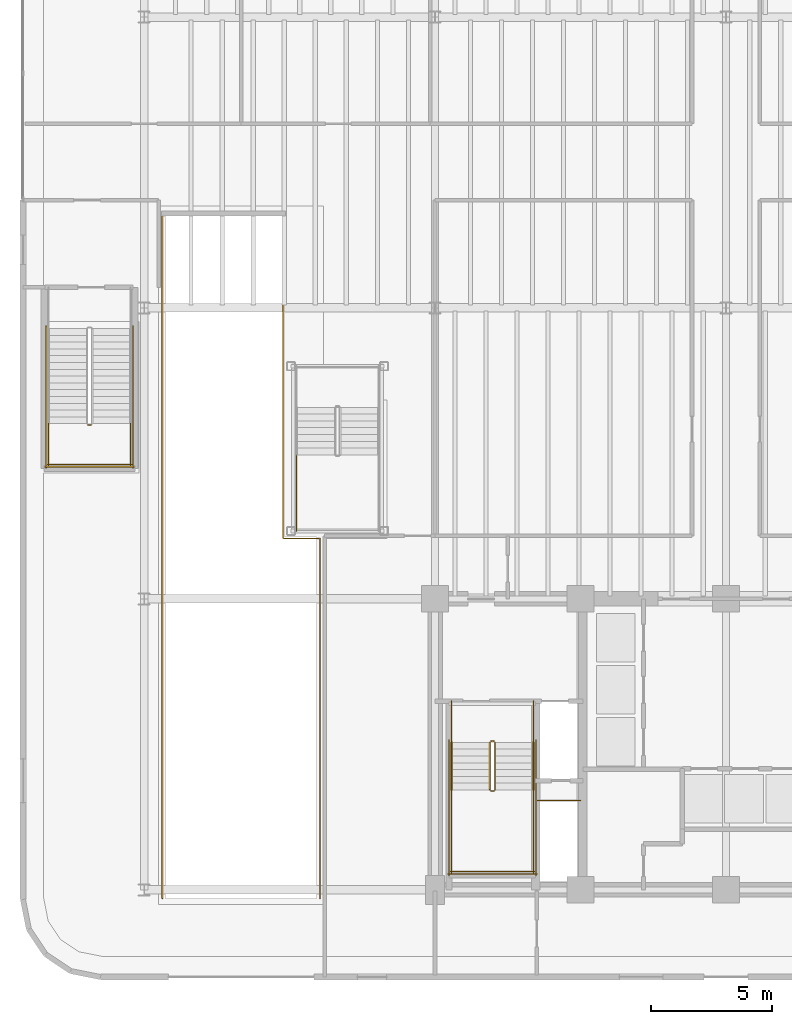
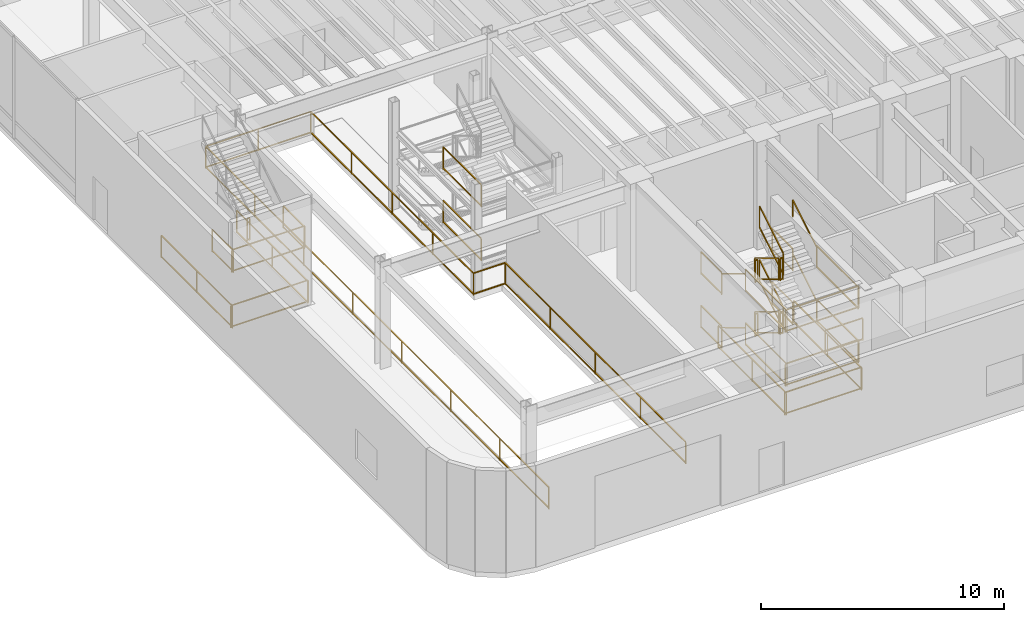
# One storey, part 13 of 17: 36 railings.
"""IFC4 building model written with IfcOpenShell, lengths in metres."""

import ifcopenshell
import ifcopenshell.guid

model = None  # the IFC model being written
_history = None  # IfcOwnerHistory: only IFC2X3 demands one
_inside = {}  # id of a spatial element -> (the spatial element, [elements in it])
_under = {}  # id of a project, library or spatial element -> (it, [spatial elements below it])
_declared = {}  # id of a project -> (the project, [libraries it declares])
_typed = {}  # id of a type object -> (the type object, [elements of that type])
_made_of = {}  # id of a material, layer set ... -> (it, [elements and type objects made of it])


def new_model(schema):
    """Start an empty IFC model of exactly this schema.

    Asked for "IFC4X3", IfcOpenShell would pick the latest addendum, in which some entities
    have other attributes; the version numbers below select the first issue.
    IFC2X3 requires an IfcOwnerHistory on every rooted entity: one is made here for all.
    """
    global model, _history
    if schema == "IFC4X3":
        model = ifcopenshell.file(schema_version=(4, 3, 0, 0))
    else:
        model = ifcopenshell.file(schema=schema)
    _inside.clear()
    _under.clear()
    _declared.clear()
    _typed.clear()
    _made_of.clear()
    _history = None
    if model.schema == "IFC2X3":
        org = make("IfcOrganization", Name="unknown")
        user = make(
            "IfcPersonAndOrganization",
            ThePerson=make("IfcPerson", FamilyName="unknown"),
            TheOrganization=org,
        )
        app = make(
            "IfcApplication",
            ApplicationDeveloper=org,
            Version="unknown",
            ApplicationFullName="unknown",
            ApplicationIdentifier="unknown",
        )
        _history = make(
            "IfcOwnerHistory",
            OwningUser=user,
            OwningApplication=app,
            ChangeAction="ADDED",
            CreationDate=0,
        )
    return model


def make(cls, **values):
    """One entity of the class cls with the attributes given. An attribute that is None is left unset."""
    return model.create_entity(
        cls, **{name: value for name, value in values.items() if value is not None}
    )


def rooted(cls, **values):
    """An entity with a GlobalId (a new one), such as an element, a storey or a relation."""
    return make(cls, GlobalId=ifcopenshell.guid.new(), OwnerHistory=_history, **values)


def si_unit(unit_type, name, prefix=None):
    """IfcSIUnit, for example si_unit("LENGTHUNIT", "METRE", prefix="MILLI")."""
    return make("IfcSIUnit", UnitType=unit_type, Prefix=prefix, Name=name)


def assignment(units):
    """IfcUnitAssignment: the units of a project."""
    return None if units is None else make("IfcUnitAssignment", Units=units)


def point(xyz):
    """IfcCartesianPoint."""
    return None if xyz is None else make("IfcCartesianPoint", Coordinates=xyz)


def direction(xyz):
    """IfcDirection."""
    return None if xyz is None else make("IfcDirection", DirectionRatios=xyz)


def frame(location, z_axis=None, x_axis=None):
    """IfcAxis2Placement3D, a coordinate frame: its origin and axes. An axis left out is left unset."""
    return make(
        "IfcAxis2Placement3D",
        Location=point(location),
        Axis=direction(z_axis),
        RefDirection=direction(x_axis),
    )


def frame_2d(location, x_axis=None):
    """IfcAxis2Placement2D, a coordinate frame in the plane: its origin and x axis."""
    return make(
        "IfcAxis2Placement2D", Location=point(location), RefDirection=direction(x_axis)
    )


def origin():
    """The frame at (0, 0, 0) with its axes left unset."""
    return frame((0.0, 0.0, 0.0))


def origin_2d():
    """The frame at (0, 0) in the plane with its x axis left unset."""
    return frame_2d((0.0, 0.0))


def place(relative_to, where):
    """IfcLocalPlacement: puts the frame where relative to a parent placement (None: the world)."""
    return make(
        "IfcLocalPlacement", PlacementRelTo=relative_to, RelativePlacement=where
    )


def context(
    kind, dimensions, precision=None, world=None, true_north=None, identifier=None
):
    """IfcGeometricRepresentationContext, for example the 3D "Model" context."""
    return make(
        "IfcGeometricRepresentationContext",
        ContextIdentifier=identifier,
        ContextType=kind,
        CoordinateSpaceDimension=dimensions,
        Precision=precision,
        WorldCoordinateSystem=world,
        TrueNorth=true_north,
    )


def subcontext(parent, identifier, kind, view, scale=None):
    """IfcGeometricRepresentationSubContext, for example "Body" below "Model"."""
    return make(
        "IfcGeometricRepresentationSubContext",
        ContextIdentifier=identifier,
        ContextType=kind,
        ParentContext=parent,
        TargetScale=scale,
        TargetView=view,
    )


def project(units=None, contexts=None):
    """IfcProject with its units and contexts."""
    return rooted(
        "IfcProject",
        Name="project",
        RepresentationContexts=contexts,
        UnitsInContext=assignment(units),
    )


def spatial(cls, under=None, at=None, **own):
    """A site, building, storey or space (cls), placed at a placement, below another one or the project."""
    s = rooted(cls, ObjectPlacement=at, **own)
    if under is not None:
        _under.setdefault(under.id(), (under, []))[1].append(s)
    return s


def profile(cls, at=None, kind="AREA", **sizes):
    """A parametric profile (cls). Its sizes go by their IFC names, for example OverallWidth=200.0."""
    return make(cls, ProfileType=kind, Position=at, **sizes)


def rectangle(**sizes):
    """IfcRectangleProfileDef."""
    return profile("IfcRectangleProfileDef", **sizes)


def extrude(swept, where, along, depth):
    """IfcExtrudedAreaSolid: the profile swept, set in the frame where, extruded along a direction by depth."""
    return make(
        "IfcExtrudedAreaSolid",
        SweptArea=swept,
        Position=where,
        ExtrudedDirection=direction(along),
        Depth=depth,
    )


def shape(context_of_items, identifier, shape_type, items):
    """IfcShapeRepresentation: the items that make up one representation, for example the "Body"."""
    return make(
        "IfcShapeRepresentation",
        ContextOfItems=context_of_items,
        RepresentationIdentifier=identifier,
        RepresentationType=shape_type,
        Items=items,
    )


def material(Name=None, Category=None):
    """IfcMaterial."""
    return make("IfcMaterial", Name=Name, Category=Category)


def layer(
    of_material, thickness, ventilated=None, Name=None, Category=None, Priority=None
):
    """IfcMaterialLayer: one layer of a wall or slab, of a material (None: an air gap)."""
    return make(
        "IfcMaterialLayer",
        Material=of_material,
        LayerThickness=thickness,
        IsVentilated=ventilated,
        Name=Name,
        Category=Category,
        Priority=Priority,
    )


def layer_set(layers, Name=None):
    """IfcMaterialLayerSet."""
    return make("IfcMaterialLayerSet", MaterialLayers=layers, LayerSetName=Name)


def made_of(thing, what):
    """Note that an element or type object is made of a material, layer set ...; save() writes the relation."""
    if what is not None:
        _made_of.setdefault(what.id(), (what, []))[1].append(thing)
    return thing


def type_object(cls, material=None, **own):
    """A type object (cls), such as IfcWallType, which elements share."""
    return made_of(rooted(cls, **own), material)


def element(
    cls,
    number,
    at=None,
    inside=None,
    cuts=None,
    type_object=None,
    material=None,
    context=None,
    identifier="Body",
    shape_type=None,
    held_by="IfcProductDefinitionShape",
    body=None,
    shapes=None,
    **own,
):
    """One element of the class cls, such as IfcWall. Its Tag is "e" and its number.

    at: its placement. inside: the storey or other place that contains it. cuts: it is an
    opening in that element (IfcRelVoidsElement). A single representation is given by context,
    identifier, shape_type and body (its items); several are given by shapes. held_by: the class
    of the entity that holds the representations. save() writes the other relations.
    """
    e = rooted(cls, Tag="e%d" % number, ObjectPlacement=at, **own)
    if body is not None:
        shapes = [shape(context, identifier, shape_type, body)]
    if shapes is not None:
        e.Representation = make(held_by, Representations=shapes)
    if inside is not None:
        _inside.setdefault(inside.id(), (inside, []))[1].append(e)
    if cuts is not None:
        rooted(
            "IfcRelVoidsElement", RelatingBuildingElement=cuts, RelatedOpeningElement=e
        )
    if type_object is not None:
        _typed.setdefault(type_object.id(), (type_object, []))[1].append(e)
    return made_of(e, material)


def aggregate(whole, parts):
    """IfcRelAggregates: a whole, such as a stair, and the parts it consists of."""
    return rooted("IfcRelAggregates", RelatingObject=whole, RelatedObjects=parts)


def save(model, path):
    """Write the relations noted so far, then the file.

    IfcRelAggregates (storeys below a building ...), IfcRelContainedInSpatialStructure (elements
    in a storey), IfcRelDefinesByType, IfcRelAssociatesMaterial and IfcRelDeclares: one each for
    every whole, place, type object, material and project.
    """
    for whole, parts in _under.values():
        aggregate(whole, parts)
    for where, things in _inside.values():
        rooted(
            "IfcRelContainedInSpatialStructure",
            RelatedElements=things,
            RelatingStructure=where,
        )
    for kind, things in _typed.values():
        rooted("IfcRelDefinesByType", RelatedObjects=things, RelatingType=kind)
    for what, things in _made_of.values():
        rooted("IfcRelAssociatesMaterial", RelatedObjects=things, RelatingMaterial=what)
    for by, libraries in _declared.values():
        rooted("IfcRelDeclares", RelatingContext=by, RelatedDefinitions=libraries)
    model.write(path)


model = new_model("IFC4")

# Units and contexts
model_context = context("Model", 3, precision=1e-05, world=origin(), true_north=direction((0.0, 1.0)))
body_context = subcontext(model_context, "Body", "Model", "MODEL_VIEW")
ifc_project = project(units=[si_unit("LENGTHUNIT", "METRE"), si_unit("AREAUNIT", "SQUARE_METRE"), si_unit("VOLUMEUNIT", "CUBIC_METRE"), si_unit("PLANEANGLEUNIT", "RADIAN"), si_unit("MASSUNIT", "GRAM", prefix="KILO")], contexts=[model_context])

# Site, building, storey
site_placement = place(None, origin())
site = spatial("IfcSite", under=ifc_project, at=site_placement, CompositionType="ELEMENT")
building_placement = place(site_placement, origin())
building = spatial("IfcBuilding", under=site, at=building_placement, Name="Brelvock Crest Care Tower", CompositionType="ELEMENT")
storey_placement = place(building_placement, origin())
storey = spatial("IfcBuildingStorey", under=building, at=storey_placement, Name="L00", CompositionType="ELEMENT", Elevation=0.0)

# Railings
ifc_material = material(Name="Steel Grade 350", Category="steel")
ifc_layer_1 = layer(ifc_material, 0.06005859375, Name="RL-GRD1")
ifc_layer_set_1 = layer_set([ifc_layer_1], Name="Steel Grade 350")
railing_type_1 = type_object("IfcRailingType", Name="RL-GRD1", PredefinedType="GUARDRAIL", material=ifc_layer_set_1)
railing_1_placement = place(storey_placement, frame((12.75, 5.639892578125, 0.00390625)))
element("IfcRailing", 1, at=railing_1_placement, inside=storey, type_object=railing_type_1, Name="L00 Safety Balustrade RAMP-OPENING", PredefinedType="GUARDRAIL", context=body_context, shape_type="SweptSolid", body=[
    extrude(rectangle(XDim=0.048095703125, YDim=0.048095703125, at=origin_2d()), frame((0.0, 0.001953125, 1.09619140625), z_axis=(0.0, 1.0, 0.0), x_axis=(-1.0, 0.0, 0.0)), (0.0, 0.0, 1.0), 28.236083984375),
    extrude(rectangle(XDim=0.048095703125, YDim=0.048095703125, at=origin_2d()), frame((0.0, 0.001953125, 0.054931640625), z_axis=(0.0, 1.0, 0.0), x_axis=(-1.0, 0.0, 0.0)), (0.0, 0.0, 1.0), 28.236083984375),
    extrude(rectangle(XDim=0.048095703125, YDim=0.048095703125, at=origin_2d()), frame((0.001953125, 28.239990234375, 1.09619140625), z_axis=(1.0, 0.0, 0.0), x_axis=(0.0, 1.0, 0.0)), (0.0, 0.0, 1.0), 4.986083984375),
    extrude(rectangle(XDim=0.048095703125, YDim=0.048095703125, at=origin_2d()), frame((0.001953125, 28.239990234375, 0.054931640625), z_axis=(1.0, 0.0, 0.0), x_axis=(0.0, 1.0, 0.0)), (0.0, 0.0, 1.0), 4.986083984375),
    extrude(rectangle(XDim=0.048095703125, YDim=0.048095703125, at=origin_2d()), frame((4.989990234375, 28.238037109375, 1.09619140625), z_axis=(0.0, -1.0, 0.0), x_axis=(1.0, 0.0, 0.0)), (0.0, 0.0, 1.0), 13.385986328125),
    extrude(rectangle(XDim=0.048095703125, YDim=0.048095703125, at=origin_2d()), frame((4.989990234375, 28.238037109375, 0.054931640625), z_axis=(0.0, -1.0, 0.0), x_axis=(1.0, 0.0, 0.0)), (0.0, 0.0, 1.0), 13.385986328125),
    extrude(rectangle(XDim=0.048095703125, YDim=0.048095703125, at=origin_2d()), frame((4.991943359375, 14.85009765625, 1.09619140625), z_axis=(1.0, 0.0, 0.0), x_axis=(0.0, 1.0, 0.0)), (0.0, 0.0, 1.0), 1.506103515625),
    extrude(rectangle(XDim=0.048095703125, YDim=0.048095703125, at=origin_2d()), frame((4.991943359375, 14.85009765625, 0.054931640625), z_axis=(1.0, 0.0, 0.0), x_axis=(0.0, 1.0, 0.0)), (0.0, 0.0, 1.0), 1.506103515625),
    extrude(rectangle(XDim=0.048095703125, YDim=0.048095703125, at=origin_2d()), frame((6.5, 14.84814453125, 1.09619140625), z_axis=(0.0, -1.0, 0.0), x_axis=(1.0, 0.0, 0.0)), (0.0, 0.0, 1.0), 14.84619140625),
    extrude(rectangle(XDim=0.048095703125, YDim=0.048095703125, at=origin_2d()), frame((6.5, 14.84814453125, 0.054931640625), z_axis=(0.0, -1.0, 0.0), x_axis=(1.0, 0.0, 0.0)), (0.0, 0.0, 1.0), 14.84619140625),
    extrude(rectangle(XDim=0.0419921875, YDim=0.0419921875, at=origin_2d()), origin(), (0.0, 0.0, 1.0), 1.070068359375),
    extrude(rectangle(XDim=0.0419921875, YDim=0.0419921875, at=origin_2d()), frame((0.0, 4.0341796875, 0.0)), (0.0, 0.0, 1.0), 1.070068359375),
    extrude(rectangle(XDim=0.0419921875, YDim=0.0419921875, at=origin_2d()), frame((0.0, 8.068603515625, 0.0)), (0.0, 0.0, 1.0), 1.070068359375),
    extrude(rectangle(XDim=0.0419921875, YDim=0.0419921875, at=origin_2d()), frame((0.0, 12.102783203125, 0.0)), (0.0, 0.0, 1.0), 1.070068359375),
    extrude(rectangle(XDim=0.0419921875, YDim=0.0419921875, at=origin_2d()), frame((0.0, 16.13720703125, 0.0)), (0.0, 0.0, 1.0), 1.070068359375),
    extrude(rectangle(XDim=0.0419921875, YDim=0.0419921875, at=origin_2d()), frame((0.0, 20.17138671875, 0.0)), (0.0, 0.0, 1.0), 1.070068359375),
    extrude(rectangle(XDim=0.0419921875, YDim=0.0419921875, at=origin_2d()), frame((0.0, 24.205810546875, 0.0)), (0.0, 0.0, 1.0), 1.070068359375),
    extrude(rectangle(XDim=0.0419921875, YDim=0.0419921875, at=origin_2d()), frame((0.0, 28.239990234375, 0.0)), (0.0, 0.0, 1.0), 1.070068359375),
    extrude(rectangle(XDim=0.0419921875, YDim=0.0419921875, at=origin_2d()), frame((2.4951171875, 28.239990234375, 0.0)), (0.0, 0.0, 1.0), 1.070068359375),
    extrude(rectangle(XDim=0.0419921875, YDim=0.0419921875, at=origin_2d()), frame((4.989990234375, 28.239990234375, 0.0)), (0.0, 0.0, 1.0), 1.070068359375),
    extrude(rectangle(XDim=0.0419921875, YDim=0.0419921875, at=origin_2d()), frame((4.989990234375, 24.892578125, 0.0)), (0.0, 0.0, 1.0), 1.070068359375),
    extrude(rectangle(XDim=0.0419921875, YDim=0.0419921875, at=origin_2d()), frame((4.989990234375, 21.544921875, 0.0)), (0.0, 0.0, 1.0), 1.070068359375),
    extrude(rectangle(XDim=0.0419921875, YDim=0.0419921875, at=origin_2d()), frame((4.989990234375, 18.197509765625, 0.0)), (0.0, 0.0, 1.0), 1.070068359375),
    extrude(rectangle(XDim=0.0419921875, YDim=0.0419921875, at=origin_2d()), frame((4.989990234375, 14.85009765625, 0.0)), (0.0, 0.0, 1.0), 1.070068359375),
    extrude(rectangle(XDim=0.0419921875, YDim=0.0419921875, at=origin_2d()), frame((6.5, 14.85009765625, 0.0)), (0.0, 0.0, 1.0), 1.070068359375),
    extrude(rectangle(XDim=0.0419921875, YDim=0.0419921875, at=origin_2d()), frame((6.5, 11.1376953125, 0.0)), (0.0, 0.0, 1.0), 1.070068359375),
    extrude(rectangle(XDim=0.0419921875, YDim=0.0419921875, at=origin_2d()), frame((6.5, 7.425048828125, 0.0)), (0.0, 0.0, 1.0), 1.070068359375),
    extrude(rectangle(XDim=0.0419921875, YDim=0.0419921875, at=origin_2d()), frame((6.5, 3.71240234375, 0.0)), (0.0, 0.0, 1.0), 1.070068359375),
    extrude(rectangle(XDim=0.0419921875, YDim=0.0419921875, at=origin_2d()), frame((6.5, 0.0, 0.0)), (0.0, 0.0, 1.0), 1.070068359375),
])
ifc_layer_2 = layer(ifc_material, 0.050048828125, Name="RL-STG1")
ifc_layer_set_2 = layer_set([ifc_layer_2], Name="Steel Grade 350")
railing_type_2 = type_object("IfcRailingType", Name="RL-STG1", PredefinedType="GUARDRAIL", material=ifc_layer_set_2)
railing_2_placement = place(storey_placement, frame((26.260009765625, 12.080078125, 0.168701171875)))
element("IfcRailing", 2, at=railing_2_placement, inside=storey, type_object=railing_type_2, Name="L00 ST-1 stair guard 1", PredefinedType="GUARDRAIL", context=body_context, shape_type="SweptSolid", body=[
    extrude(rectangle(XDim=0.048095703125, YDim=0.048095703125, at=origin_2d()), frame((0.0, -0.001708984375, 1.116943359375), z_axis=(0.0, -0.856446297458, 0.516236127728), x_axis=(1.0, 0.0, 0.0)), (0.0, 0.0, 1.0), 2.284423828125),
    extrude(rectangle(XDim=0.048095703125, YDim=0.048095703125, at=origin_2d()), frame((0.0, -0.001708984375, 0.05615234375), z_axis=(0.0, -0.856446297458, 0.516236127728), x_axis=(1.0, 0.0, 0.0)), (0.0, 0.0, 1.0), 2.284423828125),
    extrude(rectangle(XDim=0.0419921875, YDim=0.0419921875, at=origin_2d()), origin(), (0.0, 0.0, 1.0), 1.08984375),
    extrude(rectangle(XDim=0.0419921875, YDim=0.0419921875, at=origin_2d()), frame((0.0, -1.9599609375, 1.181396484375)), (0.0, 0.0, 1.0), 1.08984375),
])
railing_3_placement = place(storey_placement, frame((26.31005859375, 10.070068359375, 1.35009765625)))
element("IfcRailing", 3, at=railing_3_placement, inside=storey, type_object=railing_type_2, Name="L00 ST-1 stair guard 2", PredefinedType="GUARDRAIL", context=body_context, shape_type="SweptSolid", body=[
    extrude(rectangle(XDim=0.048095703125, YDim=0.048095703125, at=origin_2d()), frame((0.001953125, 0.0, 1.11572265625), z_axis=(1.0, 0.0, 0.0), x_axis=(0.0, 1.0, 0.0)), (0.0, 0.0, 1.0), 0.115966796875),
    extrude(rectangle(XDim=0.048095703125, YDim=0.048095703125, at=origin_2d()), frame((0.001953125, 0.0, 0.054931640625), z_axis=(1.0, 0.0, 0.0), x_axis=(0.0, 1.0, 0.0)), (0.0, 0.0, 1.0), 0.115966796875),
    extrude(rectangle(XDim=0.0419921875, YDim=0.0419921875, at=origin_2d()), origin(), (0.0, 0.0, 1.0), 1.08984375),
    extrude(rectangle(XDim=0.0419921875, YDim=0.0419921875, at=origin_2d()), frame((0.119873046875, 0.0, 0.0)), (0.0, 0.0, 1.0), 1.08984375),
])
for number, where, name in (
    (4, (24.679931640625, 10.1201171875, 1.35009765625), "L00 ST-1 stair guard 3"),
    (5, (28.06005859375, 10.1201171875, 1.35009765625), "L00 ST-1 stair guard 4"),
):
    element("IfcRailing", number, at=place(storey_placement, frame(where)), inside=storey, type_object=railing_type_2, Name=name, PredefinedType="GUARDRAIL", context=body_context, shape_type="SweptSolid", body=[
        extrude(rectangle(XDim=0.048095703125, YDim=0.048095703125, at=origin_2d()), frame((0.0, -0.001953125, 1.11572265625), z_axis=(0.0, -1.0, 0.0), x_axis=(1.0, 0.0, 0.0)), (0.0, 0.0, 1.0), 3.416259765625),
        extrude(rectangle(XDim=0.048095703125, YDim=0.048095703125, at=origin_2d()), frame((0.0, -0.001953125, 0.054931640625), z_axis=(0.0, -1.0, 0.0), x_axis=(1.0, 0.0, 0.0)), (0.0, 0.0, 1.0), 3.416259765625),
        extrude(rectangle(XDim=0.0419921875, YDim=0.0419921875, at=origin_2d()), origin(), (0.0, 0.0, 1.0), 1.08984375),
        extrude(rectangle(XDim=0.0419921875, YDim=0.0419921875, at=origin_2d()), frame((0.0, -3.420166015625, 0.0)), (0.0, 0.0, 1.0), 1.08984375),
    ])
railing_4_placement = place(storey_placement, frame((24.6298828125, 6.75, 1.35009765625)))
element("IfcRailing", 6, at=railing_4_placement, inside=storey, type_object=railing_type_2, Name="L00 ST-1 stair guard 5", PredefinedType="GUARDRAIL", context=body_context, shape_type="SweptSolid", body=[
    extrude(rectangle(XDim=0.048095703125, YDim=0.048095703125, at=origin_2d()), frame((0.001953125, 0.0, 1.11572265625), z_axis=(1.0, 0.0, 0.0), x_axis=(0.0, 1.0, 0.0)), (0.0, 0.0, 1.0), 3.476318359375),
    extrude(rectangle(XDim=0.048095703125, YDim=0.048095703125, at=origin_2d()), frame((0.001953125, 0.0, 0.054931640625), z_axis=(1.0, 0.0, 0.0), x_axis=(0.0, 1.0, 0.0)), (0.0, 0.0, 1.0), 3.476318359375),
    extrude(rectangle(XDim=0.0419921875, YDim=0.0419921875, at=origin_2d()), origin(), (0.0, 0.0, 1.0), 1.08984375),
    extrude(rectangle(XDim=0.0419921875, YDim=0.0419921875, at=origin_2d()), frame((3.480224609375, 0.0, 0.0)), (0.0, 0.0, 1.0), 1.08984375),
])
railing_5_placement = place(storey_placement, frame((26.47998046875, 10.1201171875, 1.518798828125)))
element("IfcRailing", 7, at=railing_5_placement, inside=storey, type_object=railing_type_2, Name="L00 ST-1 stair guard 6", PredefinedType="GUARDRAIL", context=body_context, shape_type="SweptSolid", body=[
    extrude(rectangle(XDim=0.048095703125, YDim=0.048095703125, at=origin_2d()), frame((0.0, 0.001708984375, 1.116943359375), z_axis=(0.0, 0.856493463811, 0.516157869696), x_axis=(-1.0, 0.0, 0.0)), (0.0, 0.0, 1.0), 2.284423828125),
    extrude(rectangle(XDim=0.048095703125, YDim=0.048095703125, at=origin_2d()), frame((0.0, 0.001708984375, 0.05615234375), z_axis=(0.0, 0.856493463811, 0.516157869696), x_axis=(-1.0, 0.0, 0.0)), (0.0, 0.0, 1.0), 2.284423828125),
    extrude(rectangle(XDim=0.0419921875, YDim=0.0419921875, at=origin_2d()), origin(), (0.0, 0.0, 1.0), 1.08984375),
    extrude(rectangle(XDim=0.0419921875, YDim=0.0419921875, at=origin_2d()), frame((0.0, 1.9599609375, 1.18115234375)), (0.0, 0.0, 1.0), 1.08984375),
])
railing_6_placement = place(storey_placement, frame((26.31005859375, 12.1298828125, 2.699951171875)))
element("IfcRailing", 8, at=railing_6_placement, inside=storey, type_object=railing_type_2, Name="L00 ST-1 stair guard 7", PredefinedType="GUARDRAIL", context=body_context, shape_type="SweptSolid", body=[
    extrude(rectangle(XDim=0.048095703125, YDim=0.048095703125, at=origin_2d()), frame((0.001953125, 0.0, 1.11572265625), z_axis=(1.0, 0.0, 0.0), x_axis=(0.0, 1.0, 0.0)), (0.0, 0.0, 1.0), 0.115966796875),
    extrude(rectangle(XDim=0.048095703125, YDim=0.048095703125, at=origin_2d()), frame((0.001953125, 0.0, 0.054931640625), z_axis=(1.0, 0.0, 0.0), x_axis=(0.0, 1.0, 0.0)), (0.0, 0.0, 1.0), 0.115966796875),
    extrude(rectangle(XDim=0.0419921875, YDim=0.0419921875, at=origin_2d()), origin(), (0.0, 0.0, 1.0), 1.08984375),
    extrude(rectangle(XDim=0.0419921875, YDim=0.0419921875, at=origin_2d()), frame((0.119873046875, 0.0, 0.0)), (0.0, 0.0, 1.0), 1.08984375),
])
for number, where, name in (
    (9, (24.679931640625, 13.780029296875, 2.699951171875), "L00 ST-1 stair guard 8"),
    (10, (28.06005859375, 13.780029296875, 2.699951171875), "L00 ST-1 stair guard 9"),
):
    element("IfcRailing", number, at=place(storey_placement, frame(where)), inside=storey, type_object=railing_type_2, Name=name, PredefinedType="GUARDRAIL", context=body_context, shape_type="SweptSolid", body=[
        extrude(rectangle(XDim=0.048095703125, YDim=0.048095703125, at=origin_2d()), frame((0.0, -0.001953125, 1.11572265625), z_axis=(0.0, -1.0, 0.0), x_axis=(1.0, 0.0, 0.0)), (0.0, 0.0, 1.0), 1.696044921875),
        extrude(rectangle(XDim=0.048095703125, YDim=0.048095703125, at=origin_2d()), frame((0.0, -0.001953125, 0.054931640625), z_axis=(0.0, -1.0, 0.0), x_axis=(1.0, 0.0, 0.0)), (0.0, 0.0, 1.0), 1.696044921875),
        extrude(rectangle(XDim=0.0419921875, YDim=0.0419921875, at=origin_2d()), origin(), (0.0, 0.0, 1.0), 1.08984375),
        extrude(rectangle(XDim=0.0419921875, YDim=0.0419921875, at=origin_2d()), frame((0.0, -1.699951171875, 0.0)), (0.0, 0.0, 1.0), 1.08984375),
    ])
railing_7_placement = place(storey_placement, frame((26.260009765625, 12.080078125, 2.86865234375)))
element("IfcRailing", 11, at=railing_7_placement, inside=storey, type_object=railing_type_2, Name="L00 ST-1 stair guard 10", PredefinedType="GUARDRAIL", context=body_context, shape_type="SweptSolid", body=[
    extrude(rectangle(XDim=0.048095703125, YDim=0.048095703125, at=origin_2d()), frame((0.0, -0.001708984375, 1.116943359375), z_axis=(0.0, -0.856446297458, 0.516236127728), x_axis=(1.0, 0.0, 0.0)), (0.0, 0.0, 1.0), 2.284423828125),
    extrude(rectangle(XDim=0.048095703125, YDim=0.048095703125, at=origin_2d()), frame((0.0, -0.001708984375, 0.05615234375), z_axis=(0.0, -0.856446297458, 0.516236127728), x_axis=(1.0, 0.0, 0.0)), (0.0, 0.0, 1.0), 2.284423828125),
    extrude(rectangle(XDim=0.0419921875, YDim=0.0419921875, at=origin_2d()), origin(), (0.0, 0.0, 1.0), 1.08984375),
    extrude(rectangle(XDim=0.0419921875, YDim=0.0419921875, at=origin_2d()), frame((0.0, -1.9599609375, 1.181396484375)), (0.0, 0.0, 1.0), 1.08984375),
])
railing_8_placement = place(storey_placement, frame((26.31005859375, 10.070068359375, 4.050048828125)))
element("IfcRailing", 12, at=railing_8_placement, inside=storey, type_object=railing_type_2, Name="L00 ST-1 stair guard 11", PredefinedType="GUARDRAIL", context=body_context, shape_type="SweptSolid", body=[
    extrude(rectangle(XDim=0.048095703125, YDim=0.048095703125, at=origin_2d()), frame((0.001953125, 0.0, 1.11572265625), z_axis=(1.0, 0.0, 0.0), x_axis=(0.0, 1.0, 0.0)), (0.0, 0.0, 1.0), 0.115966796875),
    extrude(rectangle(XDim=0.048095703125, YDim=0.048095703125, at=origin_2d()), frame((0.001953125, 0.0, 0.054931640625), z_axis=(1.0, 0.0, 0.0), x_axis=(0.0, 1.0, 0.0)), (0.0, 0.0, 1.0), 0.115966796875),
    extrude(rectangle(XDim=0.0419921875, YDim=0.0419921875, at=origin_2d()), origin(), (0.0, 0.0, 1.0), 1.08984375),
    extrude(rectangle(XDim=0.0419921875, YDim=0.0419921875, at=origin_2d()), frame((0.119873046875, 0.0, 0.0)), (0.0, 0.0, 1.0), 1.08984375),
])
for number, where, name in (
    (13, (24.679931640625, 10.1201171875, 4.050048828125), "L00 ST-1 stair guard 12"),
    (14, (28.06005859375, 10.1201171875, 4.050048828125), "L00 ST-1 stair guard 13"),
):
    element("IfcRailing", number, at=place(storey_placement, frame(where)), inside=storey, type_object=railing_type_2, Name=name, PredefinedType="GUARDRAIL", context=body_context, shape_type="SweptSolid", body=[
        extrude(rectangle(XDim=0.048095703125, YDim=0.048095703125, at=origin_2d()), frame((0.0, -0.001953125, 1.11572265625), z_axis=(0.0, -1.0, 0.0), x_axis=(1.0, 0.0, 0.0)), (0.0, 0.0, 1.0), 3.416259765625),
        extrude(rectangle(XDim=0.048095703125, YDim=0.048095703125, at=origin_2d()), frame((0.0, -0.001953125, 0.054931640625), z_axis=(0.0, -1.0, 0.0), x_axis=(1.0, 0.0, 0.0)), (0.0, 0.0, 1.0), 3.416259765625),
        extrude(rectangle(XDim=0.0419921875, YDim=0.0419921875, at=origin_2d()), origin(), (0.0, 0.0, 1.0), 1.08984375),
        extrude(rectangle(XDim=0.0419921875, YDim=0.0419921875, at=origin_2d()), frame((0.0, -3.420166015625, 0.0)), (0.0, 0.0, 1.0), 1.08984375),
    ])
railing_9_placement = place(storey_placement, frame((24.6298828125, 6.75, 4.050048828125)))
element("IfcRailing", 15, at=railing_9_placement, inside=storey, type_object=railing_type_2, Name="L00 ST-1 stair guard 14", PredefinedType="GUARDRAIL", context=body_context, shape_type="SweptSolid", body=[
    extrude(rectangle(XDim=0.048095703125, YDim=0.048095703125, at=origin_2d()), frame((0.001953125, 0.0, 1.11572265625), z_axis=(1.0, 0.0, 0.0), x_axis=(0.0, 1.0, 0.0)), (0.0, 0.0, 1.0), 3.476318359375),
    extrude(rectangle(XDim=0.048095703125, YDim=0.048095703125, at=origin_2d()), frame((0.001953125, 0.0, 0.054931640625), z_axis=(1.0, 0.0, 0.0), x_axis=(0.0, 1.0, 0.0)), (0.0, 0.0, 1.0), 3.476318359375),
    extrude(rectangle(XDim=0.0419921875, YDim=0.0419921875, at=origin_2d()), origin(), (0.0, 0.0, 1.0), 1.08984375),
    extrude(rectangle(XDim=0.0419921875, YDim=0.0419921875, at=origin_2d()), frame((3.480224609375, 0.0, 0.0)), (0.0, 0.0, 1.0), 1.08984375),
])
railing_10_placement = place(storey_placement, frame((26.47998046875, 10.1201171875, 4.21875)))
element("IfcRailing", 16, at=railing_10_placement, inside=storey, type_object=railing_type_2, Name="L00 ST-1 stair guard 15", PredefinedType="GUARDRAIL", context=body_context, shape_type="SweptSolid", body=[
    extrude(rectangle(XDim=0.048095703125, YDim=0.048095703125, at=origin_2d()), frame((0.0, 0.001708984375, 1.116943359375), z_axis=(0.0, 0.856493463811, 0.516157869696), x_axis=(-1.0, 0.0, 0.0)), (0.0, 0.0, 1.0), 2.284423828125),
    extrude(rectangle(XDim=0.048095703125, YDim=0.048095703125, at=origin_2d()), frame((0.0, 0.001708984375, 0.05615234375), z_axis=(0.0, 0.856493463811, 0.516157869696), x_axis=(-1.0, 0.0, 0.0)), (0.0, 0.0, 1.0), 2.284423828125),
    extrude(rectangle(XDim=0.0419921875, YDim=0.0419921875, at=origin_2d()), origin(), (0.0, 0.0, 1.0), 1.08984375),
    extrude(rectangle(XDim=0.0419921875, YDim=0.0419921875, at=origin_2d()), frame((0.0, 1.9599609375, 1.18115234375)), (0.0, 0.0, 1.0), 1.08984375),
])
railing_11_placement = place(storey_placement, frame((26.31005859375, 12.1298828125, 0.0)))
element("IfcRailing", 17, at=railing_11_placement, inside=storey, type_object=railing_type_2, Name="L00 ST-1 stair guard 16", PredefinedType="GUARDRAIL", context=body_context, shape_type="SweptSolid", body=[
    extrude(rectangle(XDim=0.048095703125, YDim=0.048095703125, at=origin_2d()), frame((0.001953125, 0.0, 1.11572265625), z_axis=(1.0, 0.0, 0.0), x_axis=(0.0, 1.0, 0.0)), (0.0, 0.0, 1.0), 0.115966796875),
    extrude(rectangle(XDim=0.048095703125, YDim=0.048095703125, at=origin_2d()), frame((0.001953125, 0.0, 0.054931640625), z_axis=(1.0, 0.0, 0.0), x_axis=(0.0, 1.0, 0.0)), (0.0, 0.0, 1.0), 0.115966796875),
    extrude(rectangle(XDim=0.0419921875, YDim=0.0419921875, at=origin_2d()), origin(), (0.0, 0.0, 1.0), 1.08984375),
    extrude(rectangle(XDim=0.0419921875, YDim=0.0419921875, at=origin_2d()), frame((0.119873046875, 0.0, 0.0)), (0.0, 0.0, 1.0), 1.08984375),
])
for number, where, name in (
    (18, (24.679931640625, 13.780029296875, 0.0), "L00 ST-1 stair guard 17"),
    (19, (28.06005859375, 13.780029296875, 0.0), "L00 ST-1 stair guard 18"),
):
    element("IfcRailing", number, at=place(storey_placement, frame(where)), inside=storey, type_object=railing_type_2, Name=name, PredefinedType="GUARDRAIL", context=body_context, shape_type="SweptSolid", body=[
        extrude(rectangle(XDim=0.048095703125, YDim=0.048095703125, at=origin_2d()), frame((0.0, -0.001953125, 1.11572265625), z_axis=(0.0, -1.0, 0.0), x_axis=(1.0, 0.0, 0.0)), (0.0, 0.0, 1.0), 1.696044921875),
        extrude(rectangle(XDim=0.048095703125, YDim=0.048095703125, at=origin_2d()), frame((0.0, -0.001953125, 0.054931640625), z_axis=(0.0, -1.0, 0.0), x_axis=(1.0, 0.0, 0.0)), (0.0, 0.0, 1.0), 1.696044921875),
        extrude(rectangle(XDim=0.0419921875, YDim=0.0419921875, at=origin_2d()), origin(), (0.0, 0.0, 1.0), 1.08984375),
        extrude(rectangle(XDim=0.0419921875, YDim=0.0419921875, at=origin_2d()), frame((0.0, -1.699951171875, 0.0)), (0.0, 0.0, 1.0), 1.08984375),
    ])
for number, where, name in (
    (20, (24.580078125, 12.179931640625, 0.0), "L00 ST-1 stair guard 19"),
    (21, (28.159912109375, 12.179931640625, 0.0), "L00 ST-1 stair guard 20"),
):
    element("IfcRailing", number, at=place(storey_placement, frame(where)), inside=storey, type_object=railing_type_2, Name=name, PredefinedType="GUARDRAIL", context=body_context, shape_type="SweptSolid", body=[
        extrude(rectangle(XDim=0.048095703125, YDim=0.048095703125, at=origin_2d()), frame((0.0, -0.001953125, 1.11572265625), z_axis=(0.0, -1.0, 0.0), x_axis=(1.0, 0.0, 0.0)), (0.0, 0.0, 1.0), 5.575927734375),
        extrude(rectangle(XDim=0.048095703125, YDim=0.048095703125, at=origin_2d()), frame((0.0, -0.001953125, 0.054931640625), z_axis=(0.0, -1.0, 0.0), x_axis=(1.0, 0.0, 0.0)), (0.0, 0.0, 1.0), 5.575927734375),
        extrude(rectangle(XDim=0.0419921875, YDim=0.0419921875, at=origin_2d()), origin(), (0.0, 0.0, 1.0), 1.08984375),
        extrude(rectangle(XDim=0.0419921875, YDim=0.0419921875, at=origin_2d()), frame((0.0, -2.7900390625, 0.0)), (0.0, 0.0, 1.0), 1.08984375),
        extrude(rectangle(XDim=0.0419921875, YDim=0.0419921875, at=origin_2d()), frame((0.0, -5.579833984375, 0.0)), (0.0, 0.0, 1.0), 1.08984375),
    ])
railing_12_placement = place(storey_placement, frame((24.530029296875, 6.64990234375, 0.0)))
element("IfcRailing", 22, at=railing_12_placement, inside=storey, type_object=railing_type_2, Name="L00 ST-1 stair guard 21", PredefinedType="GUARDRAIL", context=body_context, shape_type="SweptSolid", body=[
    extrude(rectangle(XDim=0.048095703125, YDim=0.048095703125, at=origin_2d()), frame((0.001953125, 0.0, 1.11572265625), z_axis=(1.0, 0.0, 0.0), x_axis=(0.0, 1.0, 0.0)), (0.0, 0.0, 1.0), 3.676025390625),
    extrude(rectangle(XDim=0.048095703125, YDim=0.048095703125, at=origin_2d()), frame((0.001953125, 0.0, 0.054931640625), z_axis=(1.0, 0.0, 0.0), x_axis=(0.0, 1.0, 0.0)), (0.0, 0.0, 1.0), 3.676025390625),
    extrude(rectangle(XDim=0.0419921875, YDim=0.0419921875, at=origin_2d()), origin(), (0.0, 0.0, 1.0), 1.08984375),
    extrude(rectangle(XDim=0.0419921875, YDim=0.0419921875, at=origin_2d()), frame((3.679931640625, 0.0, 0.0)), (0.0, 0.0, 1.0), 1.08984375),
])
railing_13_placement = place(storey_placement, frame((9.68994140625, 25.179931640625, 2.699951171875)))
element("IfcRailing", 23, at=railing_13_placement, inside=storey, type_object=railing_type_2, Name="L00 ST-3 stair guard 2", PredefinedType="GUARDRAIL", context=body_context, shape_type="SweptSolid", body=[
    extrude(rectangle(XDim=0.048095703125, YDim=0.048095703125, at=origin_2d()), frame((0.001953125, 0.0, 1.11572265625), z_axis=(1.0, 0.0, 0.0), x_axis=(0.0, 1.0, 0.0)), (0.0, 0.0, 1.0), 0.1162109375),
    extrude(rectangle(XDim=0.048095703125, YDim=0.048095703125, at=origin_2d()), frame((0.001953125, 0.0, 0.054931640625), z_axis=(1.0, 0.0, 0.0), x_axis=(0.0, 1.0, 0.0)), (0.0, 0.0, 1.0), 0.1162109375),
    extrude(rectangle(XDim=0.0419921875, YDim=0.0419921875, at=origin_2d()), origin(), (0.0, 0.0, 1.0), 1.08984375),
    extrude(rectangle(XDim=0.0419921875, YDim=0.0419921875, at=origin_2d()), frame((0.1201171875, 0.0, 0.0)), (0.0, 0.0, 1.0), 1.08984375),
])
for number, where, name in (
    (24, (8.06005859375, 25.22998046875, 2.699951171875), "L00 ST-3 stair guard 3"),
    (25, (11.43994140625, 25.22998046875, 2.699951171875), "L00 ST-3 stair guard 4"),
):
    element("IfcRailing", number, at=place(storey_placement, frame(where)), inside=storey, type_object=railing_type_2, Name=name, PredefinedType="GUARDRAIL", context=body_context, shape_type="SweptSolid", body=[
        extrude(rectangle(XDim=0.048095703125, YDim=0.048095703125, at=origin_2d()), frame((0.0, -0.001953125, 1.11572265625), z_axis=(0.0, -1.0, 0.0), x_axis=(1.0, 0.0, 0.0)), (0.0, 0.0, 1.0), 1.72607421875),
        extrude(rectangle(XDim=0.048095703125, YDim=0.048095703125, at=origin_2d()), frame((0.0, -0.001953125, 0.054931640625), z_axis=(0.0, -1.0, 0.0), x_axis=(1.0, 0.0, 0.0)), (0.0, 0.0, 1.0), 1.72607421875),
        extrude(rectangle(XDim=0.0419921875, YDim=0.0419921875, at=origin_2d()), origin(), (0.0, 0.0, 1.0), 1.08984375),
        extrude(rectangle(XDim=0.0419921875, YDim=0.0419921875, at=origin_2d()), frame((0.0, -1.72998046875, 0.0)), (0.0, 0.0, 1.0), 1.08984375),
    ])
railing_14_placement = place(storey_placement, frame((8.010009765625, 23.550048828125, 2.699951171875)))
element("IfcRailing", 26, at=railing_14_placement, inside=storey, type_object=railing_type_2, Name="L00 ST-3 stair guard 5", PredefinedType="GUARDRAIL", context=body_context, shape_type="SweptSolid", body=[
    extrude(rectangle(XDim=0.048095703125, YDim=0.048095703125, at=origin_2d()), frame((0.001953125, 0.0, 1.11572265625), z_axis=(1.0, 0.0, 0.0), x_axis=(0.0, 1.0, 0.0)), (0.0, 0.0, 1.0), 3.47607421875),
    extrude(rectangle(XDim=0.048095703125, YDim=0.048095703125, at=origin_2d()), frame((0.001953125, 0.0, 0.054931640625), z_axis=(1.0, 0.0, 0.0), x_axis=(0.0, 1.0, 0.0)), (0.0, 0.0, 1.0), 3.47607421875),
    extrude(rectangle(XDim=0.0419921875, YDim=0.0419921875, at=origin_2d()), origin(), (0.0, 0.0, 1.0), 1.08984375),
    extrude(rectangle(XDim=0.0419921875, YDim=0.0419921875, at=origin_2d()), frame((3.47998046875, 0.0, 0.0)), (0.0, 0.0, 1.0), 1.08984375),
])
for number, where, name in (
    (27, (7.9599609375, 29.25, 0.0), "L00 ST-3 stair guard 10"),
    (28, (11.5400390625, 29.25, 0.0), "L00 ST-3 stair guard 11"),
):
    element("IfcRailing", number, at=place(storey_placement, frame(where)), inside=storey, type_object=railing_type_2, Name=name, PredefinedType="GUARDRAIL", context=body_context, shape_type="SweptSolid", body=[
        extrude(rectangle(XDim=0.048095703125, YDim=0.048095703125, at=origin_2d()), frame((0.0, -0.001953125, 1.11572265625), z_axis=(0.0, -1.0, 0.0), x_axis=(1.0, 0.0, 0.0)), (0.0, 0.0, 1.0), 5.84619140625),
        extrude(rectangle(XDim=0.048095703125, YDim=0.048095703125, at=origin_2d()), frame((0.0, -0.001953125, 0.054931640625), z_axis=(0.0, -1.0, 0.0), x_axis=(1.0, 0.0, 0.0)), (0.0, 0.0, 1.0), 5.84619140625),
        extrude(rectangle(XDim=0.0419921875, YDim=0.0419921875, at=origin_2d()), origin(), (0.0, 0.0, 1.0), 1.08984375),
        extrude(rectangle(XDim=0.0419921875, YDim=0.0419921875, at=origin_2d()), frame((0.0, -2.925048828125, 0.0)), (0.0, 0.0, 1.0), 1.08984375),
        extrude(rectangle(XDim=0.0419921875, YDim=0.0419921875, at=origin_2d()), frame((0.0, -5.85009765625, 0.0)), (0.0, 0.0, 1.0), 1.08984375),
    ])
railing_15_placement = place(storey_placement, frame((7.909912109375, 23.449951171875, 0.0)))
element("IfcRailing", 29, at=railing_15_placement, inside=storey, type_object=railing_type_2, Name="L00 ST-3 stair guard 12", PredefinedType="GUARDRAIL", context=body_context, shape_type="SweptSolid", body=[
    extrude(rectangle(XDim=0.048095703125, YDim=0.048095703125, at=origin_2d()), frame((0.001953125, 0.0, 1.11572265625), z_axis=(1.0, 0.0, 0.0), x_axis=(0.0, 1.0, 0.0)), (0.0, 0.0, 1.0), 3.67626953125),
    extrude(rectangle(XDim=0.048095703125, YDim=0.048095703125, at=origin_2d()), frame((0.001953125, 0.0, 0.054931640625), z_axis=(1.0, 0.0, 0.0), x_axis=(0.0, 1.0, 0.0)), (0.0, 0.0, 1.0), 3.67626953125),
    extrude(rectangle(XDim=0.0419921875, YDim=0.0419921875, at=origin_2d()), origin(), (0.0, 0.0, 1.0), 1.08984375),
    extrude(rectangle(XDim=0.0419921875, YDim=0.0419921875, at=origin_2d()), frame((3.68017578125, 0.0, 0.0)), (0.0, 0.0, 1.0), 1.08984375),
])
for number, where, name in (
    (30, (18.2900390625, 23.93994140625, 1.35009765625), "L00 ST-5 stair guard 3"),
    (31, (18.2900390625, 23.93994140625, 4.050048828125), "L00 ST-5 stair guard 12"),
):
    element("IfcRailing", number, at=place(storey_placement, frame(where)), inside=storey, type_object=railing_type_2, Name=name, PredefinedType="GUARDRAIL", context=body_context, shape_type="SweptSolid", body=[
        extrude(rectangle(XDim=0.048095703125, YDim=0.048095703125, at=origin_2d()), frame((0.0, -0.001953125, 1.11572265625), z_axis=(0.0, -1.0, 0.0), x_axis=(1.0, 0.0, 0.0)), (0.0, 0.0, 1.0), 3.135986328125),
        extrude(rectangle(XDim=0.048095703125, YDim=0.048095703125, at=origin_2d()), frame((0.0, -0.001953125, 0.054931640625), z_axis=(0.0, -1.0, 0.0), x_axis=(1.0, 0.0, 0.0)), (0.0, 0.0, 1.0), 3.135986328125),
        extrude(rectangle(XDim=0.0419921875, YDim=0.0419921875, at=origin_2d()), origin(), (0.0, 0.0, 1.0), 1.08984375),
        extrude(rectangle(XDim=0.0419921875, YDim=0.0419921875, at=origin_2d()), frame((0.0, -3.139892578125, 0.0)), (0.0, 0.0, 1.0), 1.08984375),
    ])
railing_16_placement = place(storey_placement, frame((28.219970703125, 9.679931640625, 0.0)))
element("IfcRailing", 32, at=railing_16_placement, inside=storey, type_object=railing_type_2, Name="L00 Fire Riser Threshold Guard", PredefinedType="GUARDRAIL", context=body_context, shape_type="SweptSolid", body=[
    extrude(rectangle(XDim=0.048095703125, YDim=0.048095703125, at=origin_2d()), frame((0.001953125, 0.0, 1.11572265625), z_axis=(1.0, 0.0, 0.0), x_axis=(0.0, 1.0, 0.0)), (0.0, 0.0, 1.0), 1.776123046875),
    extrude(rectangle(XDim=0.048095703125, YDim=0.048095703125, at=origin_2d()), frame((0.001953125, 0.0, 0.054931640625), z_axis=(1.0, 0.0, 0.0), x_axis=(0.0, 1.0, 0.0)), (0.0, 0.0, 1.0), 1.776123046875),
    extrude(rectangle(XDim=0.0419921875, YDim=0.0419921875, at=origin_2d()), origin(), (0.0, 0.0, 1.0), 1.08984375),
    extrude(rectangle(XDim=0.0419921875, YDim=0.0419921875, at=origin_2d()), frame((1.780029296875, 0.0, 0.0)), (0.0, 0.0, 1.0), 1.08984375),
])
ifc_layer_3 = layer(ifc_material, 0.048095703125, Name="RL-STH1")
ifc_layer_set_3 = layer_set([ifc_layer_3], Name="Steel Grade 350")
railing_type_3 = type_object("IfcRailingType", Name="RL-STH1", PredefinedType="HANDRAIL", material=ifc_layer_set_3)
railing_17_placement = place(storey_placement, frame((24.679931640625, 12.080078125, 0.168701171875)))
element("IfcRailing", 33, at=railing_17_placement, inside=storey, type_object=railing_type_3, Name="L00 ST-1 stair handrail 1", PredefinedType="HANDRAIL", context=body_context, shape_type="SweptSolid", body=[
    extrude(rectangle(XDim=0.048095703125, YDim=0.048095703125, at=origin_2d()), frame((0.0, -0.001708984375, 0.876953125), z_axis=(0.0, -0.856446297458, 0.516236127728), x_axis=(1.0, 0.0, 0.0)), (0.0, 0.0, 1.0), 2.284423828125),
    extrude(rectangle(XDim=0.0419921875, YDim=0.0419921875, at=origin_2d()), origin(), (0.0, 0.0, 1.0), 0.849853515625),
    extrude(rectangle(XDim=0.0419921875, YDim=0.0419921875, at=origin_2d()), frame((0.0, -1.9599609375, 1.181396484375)), (0.0, 0.0, 1.0), 0.849853515625),
])
railing_18_placement = place(storey_placement, frame((28.06005859375, 10.1201171875, 1.518798828125)))
element("IfcRailing", 34, at=railing_18_placement, inside=storey, type_object=railing_type_3, Name="L00 ST-1 stair handrail 2", PredefinedType="HANDRAIL", context=body_context, shape_type="SweptSolid", body=[
    extrude(rectangle(XDim=0.048095703125, YDim=0.048095703125, at=origin_2d()), frame((0.0, 0.001708984375, 0.876953125), z_axis=(0.0, 0.856493463811, 0.516157869696), x_axis=(-1.0, 0.0, 0.0)), (0.0, 0.0, 1.0), 2.284423828125),
    extrude(rectangle(XDim=0.0419921875, YDim=0.0419921875, at=origin_2d()), origin(), (0.0, 0.0, 1.0), 0.849853515625),
    extrude(rectangle(XDim=0.0419921875, YDim=0.0419921875, at=origin_2d()), frame((0.0, 1.9599609375, 1.18115234375)), (0.0, 0.0, 1.0), 0.849853515625),
])
railing_19_placement = place(storey_placement, frame((24.679931640625, 12.080078125, 2.86865234375)))
element("IfcRailing", 35, at=railing_19_placement, inside=storey, type_object=railing_type_3, Name="L00 ST-1 stair handrail 3", PredefinedType="HANDRAIL", context=body_context, shape_type="SweptSolid", body=[
    extrude(rectangle(XDim=0.048095703125, YDim=0.048095703125, at=origin_2d()), frame((0.0, -0.001708984375, 0.876953125), z_axis=(0.0, -0.856446297458, 0.516236127728), x_axis=(1.0, 0.0, 0.0)), (0.0, 0.0, 1.0), 2.284423828125),
    extrude(rectangle(XDim=0.0419921875, YDim=0.0419921875, at=origin_2d()), origin(), (0.0, 0.0, 1.0), 0.849853515625),
    extrude(rectangle(XDim=0.0419921875, YDim=0.0419921875, at=origin_2d()), frame((0.0, -1.9599609375, 1.181396484375)), (0.0, 0.0, 1.0), 0.849853515625),
])
railing_20_placement = place(storey_placement, frame((28.06005859375, 10.1201171875, 4.21875)))
element("IfcRailing", 36, at=railing_20_placement, inside=storey, type_object=railing_type_3, Name="L00 ST-1 stair handrail 4", PredefinedType="HANDRAIL", context=body_context, shape_type="SweptSolid", body=[
    extrude(rectangle(XDim=0.048095703125, YDim=0.048095703125, at=origin_2d()), frame((0.0, 0.001708984375, 0.876953125), z_axis=(0.0, 0.856493463811, 0.516157869696), x_axis=(-1.0, 0.0, 0.0)), (0.0, 0.0, 1.0), 2.284423828125),
    extrude(rectangle(XDim=0.0419921875, YDim=0.0419921875, at=origin_2d()), origin(), (0.0, 0.0, 1.0), 0.849853515625),
    extrude(rectangle(XDim=0.0419921875, YDim=0.0419921875, at=origin_2d()), frame((0.0, 1.9599609375, 1.18115234375)), (0.0, 0.0, 1.0), 0.849853515625),
])

save(model, "model.ifc")
